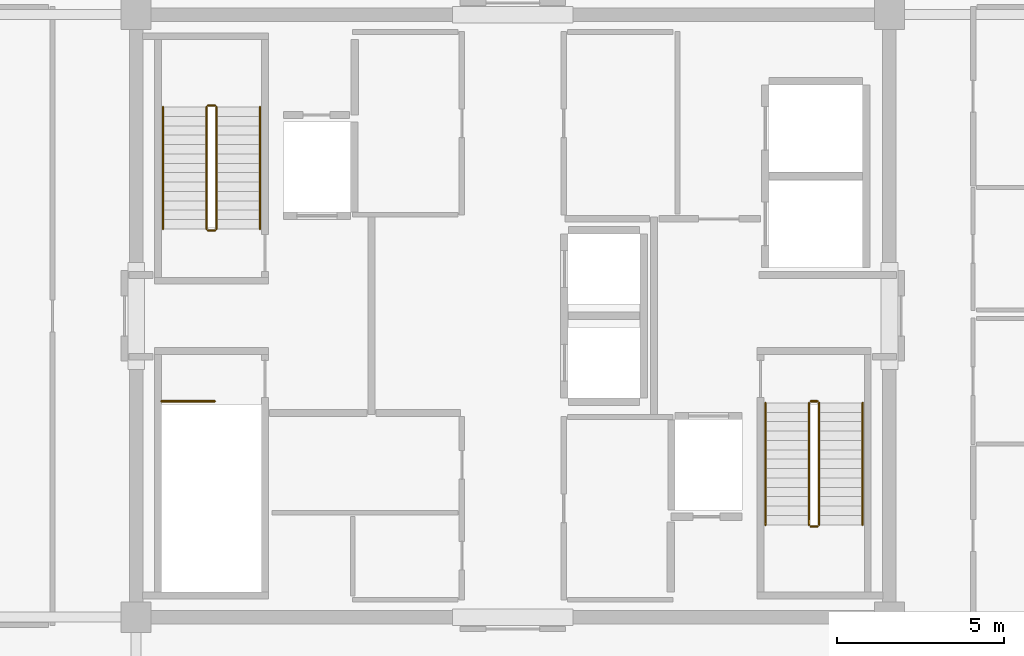
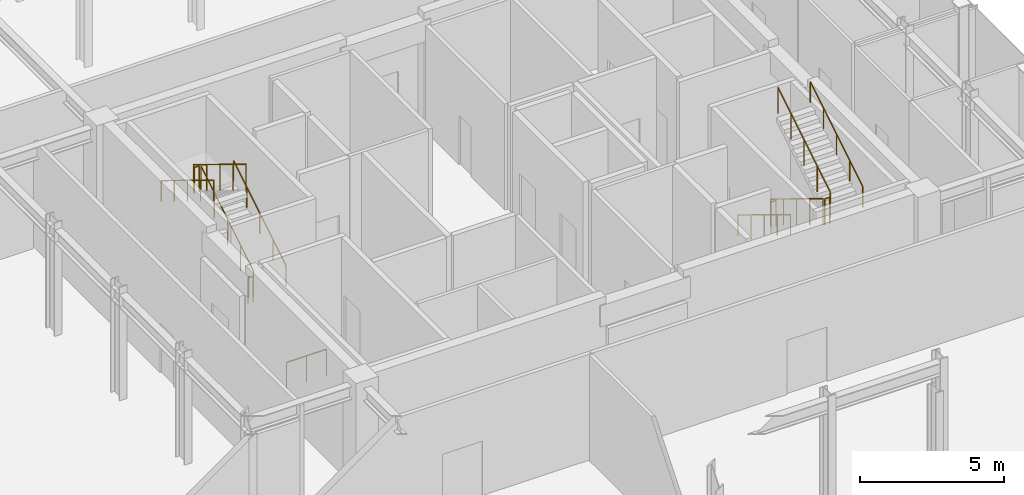
# One storey, part 16 of 17: 13 railings.
"""IFC4 building model written with IfcOpenShell, lengths in metres."""

from ifc_helpers import new_model, si_unit, direction, frame, origin, origin_2d, place, context, subcontext, project, spatial, circle, extrude, material, type_object, element, save


model = new_model("IFC4")

# Units and contexts
model_context = context("Model", 3, precision=1e-05, world=origin(), true_north=direction((0.0, 1.0)))
body_context = subcontext(model_context, "Body", "Model", "MODEL_VIEW")
ifc_project = project(units=[si_unit("LENGTHUNIT", "METRE"), si_unit("AREAUNIT", "SQUARE_METRE"), si_unit("VOLUMEUNIT", "CUBIC_METRE"), si_unit("PLANEANGLEUNIT", "RADIAN"), si_unit("MASSUNIT", "GRAM", prefix="KILO")], contexts=[model_context])

# Site, building, storey
site_placement = place(None, origin())
site = spatial("IfcSite", under=ifc_project, at=site_placement, CompositionType="ELEMENT")
building_placement = place(site_placement, origin())
building = spatial("IfcBuilding", under=site, at=building_placement, Name="Nefas-Gora Pilgrimage Tower", CompositionType="ELEMENT")
storey_placement = place(building_placement, frame((0.0, 0.0, 353.800048828125)))
storey = spatial("IfcBuildingStorey", under=building, at=storey_placement, Name="L89", CompositionType="ELEMENT", Elevation=353.800048828125)

# Railings
ifc_material_1 = material(Name="Painted galvanised steel", Category="steel")
railing_type_1 = type_object("IfcRailingType", Name="RLG-STR-GUARD-1100", PredefinedType="GUARDRAIL", material=ifc_material_1)
railing_1_placement = place(storey_placement, frame((-8.85009765625, 2.60009765625, 0.17138671875)))
element("IfcRailing", 1, at=railing_1_placement, inside=storey, type_object=railing_type_1, Name="L89 ST-01 stair guard 1", PredefinedType="GUARDRAIL", context=body_context, shape_type="SweptSolid", body=[
    extrude(circle(Radius=0.02392578125, at=origin_2d()), frame((0.0, 0.0, 1.09619140625), z_axis=(0.0, 0.852850264322, 0.5221555579), x_axis=(-1.0, 0.0, 0.0)), (0.0, 0.0, 1.0), 4.267822265625),
    extrude(circle(Radius=0.02099609375, at=origin_2d()), origin(), (0.0, 0.0, 1.0), 1.072021484375),
    extrude(circle(Radius=0.02099609375, at=origin_2d()), frame((0.0, 0.909912109375, 0.55712890625)), (0.0, 0.0, 1.0), 1.072021484375),
    extrude(circle(Radius=0.02099609375, at=origin_2d()), frame((0.0, 1.81982421875, 1.1142578125)), (0.0, 0.0, 1.0), 1.072021484375),
    extrude(circle(Radius=0.02099609375, at=origin_2d()), frame((0.0, 2.72998046875, 1.67138671875)), (0.0, 0.0, 1.0), 1.072021484375),
    extrude(circle(Radius=0.02099609375, at=origin_2d()), frame((0.0, 3.639892578125, 2.228515625)), (0.0, 0.0, 1.0), 1.072021484375),
])
railing_2_placement = place(storey_placement, frame((-8.89990234375, 6.2900390625, 2.39990234375)))
element("IfcRailing", 2, at=railing_2_placement, inside=storey, type_object=railing_type_1, Name="L89 ST-01 stair guard 2", PredefinedType="GUARDRAIL", context=body_context, shape_type="SweptSolid", body=[
    extrude(circle(Radius=0.02392578125, at=origin_2d()), frame((0.0, 0.0, 1.09619140625), z_axis=(-1.0, 0.0, 0.0), x_axis=(0.0, -1.0, 0.0)), (0.0, 0.0, 1.0), 0.2001953125),
    extrude(circle(Radius=0.02099609375, at=origin_2d()), origin(), (0.0, 0.0, 1.0), 1.072021484375),
    extrude(circle(Radius=0.02099609375, at=origin_2d()), frame((-0.2001953125, 0.0, 0.0)), (0.0, 0.0, 1.0), 1.072021484375),
])
railing_3_placement = place(storey_placement, frame((-9.14990234375, 6.239990234375, 2.5712890625)))
element("IfcRailing", 3, at=railing_3_placement, inside=storey, type_object=railing_type_1, Name="L89 ST-01 stair guard 3", PredefinedType="GUARDRAIL", context=body_context, shape_type="SweptSolid", body=[
    extrude(circle(Radius=0.02392578125, at=origin_2d()), frame((0.0, 0.0, 1.09619140625), z_axis=(0.0, -0.852824790078, 0.522197163366), x_axis=(1.0, 0.0, 0.0)), (0.0, 0.0, 1.0), 4.26806640625),
    extrude(circle(Radius=0.02099609375, at=origin_2d()), origin(), (0.0, 0.0, 1.0), 1.072021484375),
    extrude(circle(Radius=0.02099609375, at=origin_2d()), frame((0.0, -0.909912109375, 0.55712890625)), (0.0, 0.0, 1.0), 1.072021484375),
    extrude(circle(Radius=0.02099609375, at=origin_2d()), frame((0.0, -1.81982421875, 1.1142578125)), (0.0, 0.0, 1.0), 1.072021484375),
    extrude(circle(Radius=0.02099609375, at=origin_2d()), frame((0.0, -2.72998046875, 1.671630859375)), (0.0, 0.0, 1.0), 1.072021484375),
    extrude(circle(Radius=0.02099609375, at=origin_2d()), frame((0.0, -3.639892578125, 2.228759765625)), (0.0, 0.0, 1.0), 1.072021484375),
])
railing_4_placement = place(storey_placement, frame((-8.89990234375, 2.550048828125, 0.0)))
element("IfcRailing", 4, at=railing_4_placement, inside=storey, type_object=railing_type_1, Name="L89 ST-01 stair guard 4", PredefinedType="GUARDRAIL", context=body_context, shape_type="SweptSolid", body=[
    extrude(circle(Radius=0.02392578125, at=origin_2d()), frame((0.0, 0.0, 1.09619140625), z_axis=(-1.0, 0.0, 0.0), x_axis=(0.0, -1.0, 0.0)), (0.0, 0.0, 1.0), 0.2001953125),
    extrude(circle(Radius=0.02099609375, at=origin_2d()), origin(), (0.0, 0.0, 1.0), 1.072021484375),
    extrude(circle(Radius=0.02099609375, at=origin_2d()), frame((-0.2001953125, 0.0, 0.0)), (0.0, 0.0, 1.0), 1.072021484375),
])
railing_5_placement = place(storey_placement, frame((8.85009765625, -2.60009765625, 0.17138671875)))
element("IfcRailing", 5, at=railing_5_placement, inside=storey, type_object=railing_type_1, Name="L89 ST-02 stair guard 1", PredefinedType="GUARDRAIL", context=body_context, shape_type="SweptSolid", body=[
    extrude(circle(Radius=0.02392578125, at=origin_2d()), frame((0.0, 0.0, 1.09619140625), z_axis=(0.0, -0.852850264322, 0.5221555579), x_axis=(1.0, 0.0, 0.0)), (0.0, 0.0, 1.0), 4.267822265625),
    extrude(circle(Radius=0.02099609375, at=origin_2d()), origin(), (0.0, 0.0, 1.0), 1.072021484375),
    extrude(circle(Radius=0.02099609375, at=origin_2d()), frame((0.0, -0.909912109375, 0.55712890625)), (0.0, 0.0, 1.0), 1.072021484375),
    extrude(circle(Radius=0.02099609375, at=origin_2d()), frame((0.0, -1.81982421875, 1.1142578125)), (0.0, 0.0, 1.0), 1.072021484375),
    extrude(circle(Radius=0.02099609375, at=origin_2d()), frame((0.0, -2.72998046875, 1.67138671875)), (0.0, 0.0, 1.0), 1.072021484375),
    extrude(circle(Radius=0.02099609375, at=origin_2d()), frame((0.0, -3.639892578125, 2.228515625)), (0.0, 0.0, 1.0), 1.072021484375),
])
railing_6_placement = place(storey_placement, frame((8.89990234375, -6.2900390625, 2.39990234375)))
element("IfcRailing", 6, at=railing_6_placement, inside=storey, type_object=railing_type_1, Name="L89 ST-02 stair guard 2", PredefinedType="GUARDRAIL", context=body_context, shape_type="SweptSolid", body=[
    extrude(circle(Radius=0.02392578125, at=origin_2d()), frame((0.0, 0.0, 1.09619140625), z_axis=(1.0, 0.0, 0.0), x_axis=(0.0, 1.0, 0.0)), (0.0, 0.0, 1.0), 0.2001953125),
    extrude(circle(Radius=0.02099609375, at=origin_2d()), origin(), (0.0, 0.0, 1.0), 1.072021484375),
    extrude(circle(Radius=0.02099609375, at=origin_2d()), frame((0.2001953125, 0.0, 0.0)), (0.0, 0.0, 1.0), 1.072021484375),
])
railing_7_placement = place(storey_placement, frame((9.14990234375, -6.239990234375, 2.5712890625)))
element("IfcRailing", 7, at=railing_7_placement, inside=storey, type_object=railing_type_1, Name="L89 ST-02 stair guard 3", PredefinedType="GUARDRAIL", context=body_context, shape_type="SweptSolid", body=[
    extrude(circle(Radius=0.02392578125, at=origin_2d()), frame((0.0, 0.0, 1.09619140625), z_axis=(0.0, 0.852824790078, 0.522197163366), x_axis=(-1.0, 0.0, 0.0)), (0.0, 0.0, 1.0), 4.26806640625),
    extrude(circle(Radius=0.02099609375, at=origin_2d()), origin(), (0.0, 0.0, 1.0), 1.072021484375),
    extrude(circle(Radius=0.02099609375, at=origin_2d()), frame((0.0, 0.909912109375, 0.55712890625)), (0.0, 0.0, 1.0), 1.072021484375),
    extrude(circle(Radius=0.02099609375, at=origin_2d()), frame((0.0, 1.81982421875, 1.1142578125)), (0.0, 0.0, 1.0), 1.072021484375),
    extrude(circle(Radius=0.02099609375, at=origin_2d()), frame((0.0, 2.72998046875, 1.671630859375)), (0.0, 0.0, 1.0), 1.072021484375),
    extrude(circle(Radius=0.02099609375, at=origin_2d()), frame((0.0, 3.639892578125, 2.228759765625)), (0.0, 0.0, 1.0), 1.072021484375),
])
railing_8_placement = place(storey_placement, frame((8.89990234375, -2.550048828125, 0.0)))
element("IfcRailing", 8, at=railing_8_placement, inside=storey, type_object=railing_type_1, Name="L89 ST-02 stair guard 4", PredefinedType="GUARDRAIL", context=body_context, shape_type="SweptSolid", body=[
    extrude(circle(Radius=0.02392578125, at=origin_2d()), frame((0.0, 0.0, 1.09619140625), z_axis=(1.0, 0.0, 0.0), x_axis=(0.0, 1.0, 0.0)), (0.0, 0.0, 1.0), 0.2001953125),
    extrude(circle(Radius=0.02099609375, at=origin_2d()), origin(), (0.0, 0.0, 1.0), 1.072021484375),
    extrude(circle(Radius=0.02099609375, at=origin_2d()), frame((0.2001953125, 0.0, 0.0)), (0.0, 0.0, 1.0), 1.072021484375),
])
railing_9_placement = place(storey_placement, frame((-10.5, -2.550048828125, 0.0)))
element("IfcRailing", 9, at=railing_9_placement, inside=storey, type_object=railing_type_1, Name="L89 ST-03 top well guard 1", PredefinedType="GUARDRAIL", context=body_context, shape_type="SweptSolid", body=[
    extrude(circle(Radius=0.02392578125, at=origin_2d()), frame((0.0, 0.0, 1.09619140625), z_axis=(1.0, 0.0, 0.0), x_axis=(0.0, 1.0, 0.0)), (0.0, 0.0, 1.0), 1.60009765625),
    extrude(circle(Radius=0.02099609375, at=origin_2d()), origin(), (0.0, 0.0, 1.0), 1.072021484375),
    extrude(circle(Radius=0.02099609375, at=origin_2d()), frame((0.800048828125, 0.0, 0.0)), (0.0, 0.0, 1.0), 1.072021484375),
    extrude(circle(Radius=0.02099609375, at=origin_2d()), frame((1.60009765625, 0.0, 0.0)), (0.0, 0.0, 1.0), 1.072021484375),
])
ifc_material_2 = material(Name="Brushed stainless steel", Category="steel")
railing_type_2 = type_object("IfcRailingType", Name="RLG-STR-HAND-900", PredefinedType="HANDRAIL", material=ifc_material_2)
railing_10_placement = place(storey_placement, frame((-7.550048828125, 2.60009765625, 0.17138671875)))
element("IfcRailing", 10, at=railing_10_placement, inside=storey, type_object=railing_type_2, Name="L89 ST-01 stair handrail 1", PredefinedType="HANDRAIL", context=body_context, shape_type="SweptSolid", body=[
    extrude(circle(Radius=0.02392578125, at=origin_2d()), frame((0.0, 0.0, 0.8759765625), z_axis=(0.0, 0.852850264322, 0.5221555579), x_axis=(-1.0, 0.0, 0.0)), (0.0, 0.0, 1.0), 4.267822265625),
    extrude(circle(Radius=0.02099609375, at=origin_2d()), origin(), (0.0, 0.0, 1.0), 0.851806640625),
    extrude(circle(Radius=0.02099609375, at=origin_2d()), frame((0.0, 0.909912109375, 0.55712890625)), (0.0, 0.0, 1.0), 0.851806640625),
    extrude(circle(Radius=0.02099609375, at=origin_2d()), frame((0.0, 1.81982421875, 1.1142578125)), (0.0, 0.0, 1.0), 0.851806640625),
    extrude(circle(Radius=0.02099609375, at=origin_2d()), frame((0.0, 2.72998046875, 1.67138671875)), (0.0, 0.0, 1.0), 0.851806640625),
    extrude(circle(Radius=0.02099609375, at=origin_2d()), frame((0.0, 3.639892578125, 2.228515625)), (0.0, 0.0, 1.0), 0.851806640625),
])
railing_11_placement = place(storey_placement, frame((-10.449951171875, 6.239990234375, 2.5712890625)))
element("IfcRailing", 11, at=railing_11_placement, inside=storey, type_object=railing_type_2, Name="L89 ST-01 stair handrail 2", PredefinedType="HANDRAIL", context=body_context, shape_type="SweptSolid", body=[
    extrude(circle(Radius=0.02392578125, at=origin_2d()), frame((0.0, 0.0, 0.8759765625), z_axis=(0.0, -0.852824790078, 0.522197163366), x_axis=(1.0, 0.0, 0.0)), (0.0, 0.0, 1.0), 4.26806640625),
    extrude(circle(Radius=0.02099609375, at=origin_2d()), origin(), (0.0, 0.0, 1.0), 0.851806640625),
    extrude(circle(Radius=0.02099609375, at=origin_2d()), frame((0.0, -0.909912109375, 0.55712890625)), (0.0, 0.0, 1.0), 0.851806640625),
    extrude(circle(Radius=0.02099609375, at=origin_2d()), frame((0.0, -1.81982421875, 1.1142578125)), (0.0, 0.0, 1.0), 0.851806640625),
    extrude(circle(Radius=0.02099609375, at=origin_2d()), frame((0.0, -2.72998046875, 1.671630859375)), (0.0, 0.0, 1.0), 0.851806640625),
    extrude(circle(Radius=0.02099609375, at=origin_2d()), frame((0.0, -3.639892578125, 2.228759765625)), (0.0, 0.0, 1.0), 0.851806640625),
])
railing_12_placement = place(storey_placement, frame((7.550048828125, -2.60009765625, 0.17138671875)))
element("IfcRailing", 12, at=railing_12_placement, inside=storey, type_object=railing_type_2, Name="L89 ST-02 stair handrail 1", PredefinedType="HANDRAIL", context=body_context, shape_type="SweptSolid", body=[
    extrude(circle(Radius=0.02392578125, at=origin_2d()), frame((0.0, 0.0, 0.8759765625), z_axis=(0.0, -0.852850264322, 0.5221555579), x_axis=(1.0, 0.0, 0.0)), (0.0, 0.0, 1.0), 4.267822265625),
    extrude(circle(Radius=0.02099609375, at=origin_2d()), origin(), (0.0, 0.0, 1.0), 0.851806640625),
    extrude(circle(Radius=0.02099609375, at=origin_2d()), frame((0.0, -0.909912109375, 0.55712890625)), (0.0, 0.0, 1.0), 0.851806640625),
    extrude(circle(Radius=0.02099609375, at=origin_2d()), frame((0.0, -1.81982421875, 1.1142578125)), (0.0, 0.0, 1.0), 0.851806640625),
    extrude(circle(Radius=0.02099609375, at=origin_2d()), frame((0.0, -2.72998046875, 1.67138671875)), (0.0, 0.0, 1.0), 0.851806640625),
    extrude(circle(Radius=0.02099609375, at=origin_2d()), frame((0.0, -3.639892578125, 2.228515625)), (0.0, 0.0, 1.0), 0.851806640625),
])
railing_13_placement = place(storey_placement, frame((10.449951171875, -6.239990234375, 2.5712890625)))
element("IfcRailing", 13, at=railing_13_placement, inside=storey, type_object=railing_type_2, Name="L89 ST-02 stair handrail 2", PredefinedType="HANDRAIL", context=body_context, shape_type="SweptSolid", body=[
    extrude(circle(Radius=0.02392578125, at=origin_2d()), frame((0.0, 0.0, 0.8759765625), z_axis=(0.0, 0.852824790078, 0.522197163366), x_axis=(-1.0, 0.0, 0.0)), (0.0, 0.0, 1.0), 4.26806640625),
    extrude(circle(Radius=0.02099609375, at=origin_2d()), origin(), (0.0, 0.0, 1.0), 0.851806640625),
    extrude(circle(Radius=0.02099609375, at=origin_2d()), frame((0.0, 0.909912109375, 0.55712890625)), (0.0, 0.0, 1.0), 0.851806640625),
    extrude(circle(Radius=0.02099609375, at=origin_2d()), frame((0.0, 1.81982421875, 1.1142578125)), (0.0, 0.0, 1.0), 0.851806640625),
    extrude(circle(Radius=0.02099609375, at=origin_2d()), frame((0.0, 2.72998046875, 1.671630859375)), (0.0, 0.0, 1.0), 0.851806640625),
    extrude(circle(Radius=0.02099609375, at=origin_2d()), frame((0.0, 3.639892578125, 2.228759765625)), (0.0, 0.0, 1.0), 0.851806640625),
])

save(model, "model.ifc")
